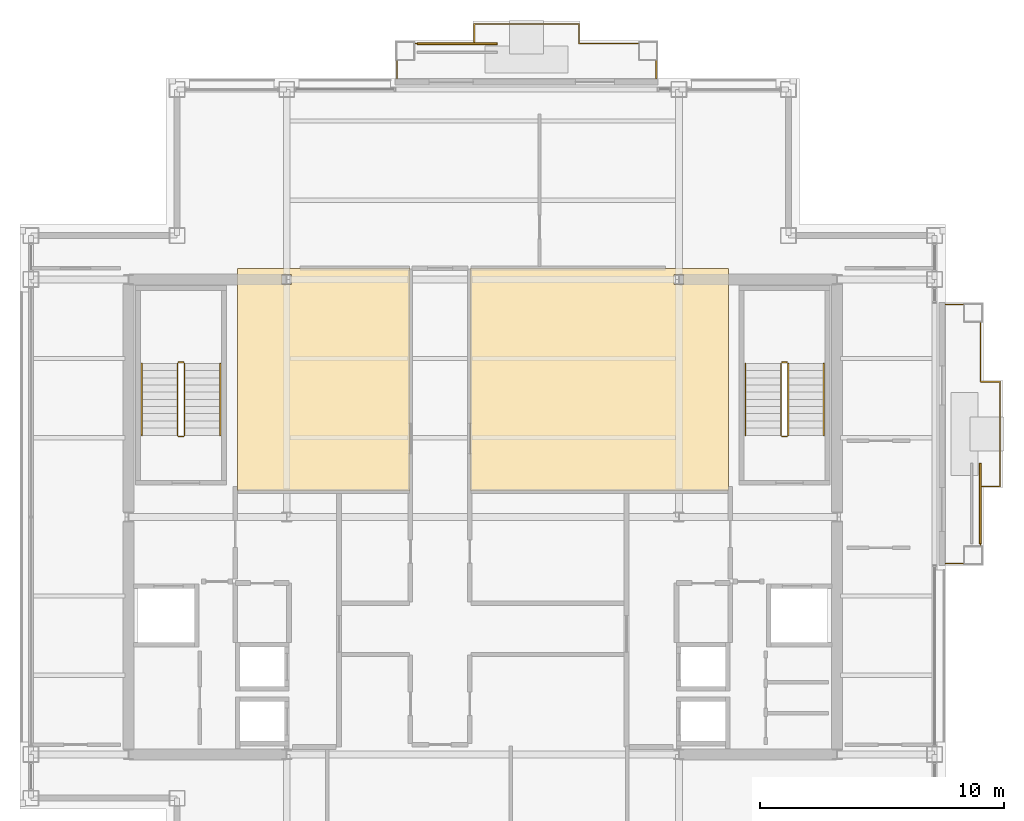
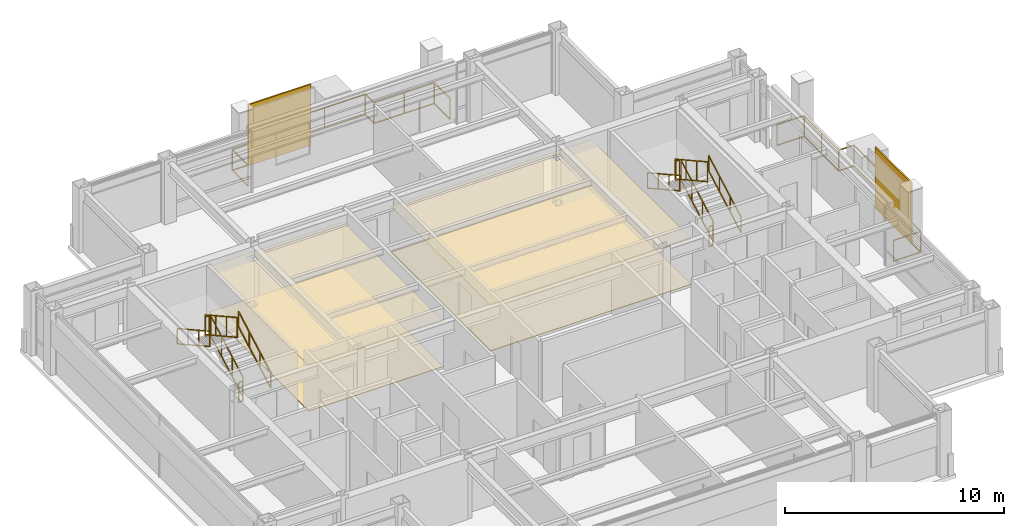
# One storey, part 23 of 24: 14 railings, 4 coverings, 2 shading devices.
"""IFC4 building model written with IfcOpenShell, lengths in metres."""

from ifc_helpers import new_model, si_unit, direction, frame, origin, origin_2d, place, context, subcontext, project, spatial, polyline, rectangle, outline, extrude, material, layer, layer_set, type_object, element, save


model = new_model("IFC4")

# Units and contexts
model_context = context("Model", 3, precision=1e-05, world=origin(), true_north=direction((0.0, 1.0)))
body_context = subcontext(model_context, "Body", "Model", "MODEL_VIEW")
ifc_project = project(units=[si_unit("LENGTHUNIT", "METRE"), si_unit("AREAUNIT", "SQUARE_METRE"), si_unit("VOLUMEUNIT", "CUBIC_METRE"), si_unit("PLANEANGLEUNIT", "RADIAN"), si_unit("MASSUNIT", "GRAM", prefix="KILO")], contexts=[model_context])

# Site, building, storey
site_placement = place(None, origin())
site = spatial("IfcSite", under=ifc_project, at=site_placement, CompositionType="ELEMENT")
building_placement = place(site_placement, origin())
building = spatial("IfcBuilding", under=site, at=building_placement, Name="Brelmoor Portico Tower", CompositionType="ELEMENT")
storey_placement = place(building_placement, frame((0.0, 0.0, 229.199951171875)))
storey = spatial("IfcBuildingStorey", under=building, at=storey_placement, Name="L60", CompositionType="ELEMENT", Elevation=229.199951171875)

# Coverings
ifc_material_1 = material(Name="Perforated Mineral-Fibre Acoustic Ceiling Tile", Category="gypsum")
ifc_layer_1 = layer(ifc_material_1, 0.02490234375)
ifc_layer_set_1 = layer_set([ifc_layer_1], Name="Perforated Mineral-Fibre Acoustic Ceiling Tile")
covering_type_1 = type_object("IfcCoveringType", Name="CV-CEIL-GYPSUM-25", PredefinedType="CEILING", material=ifc_layer_set_1)
covering_1_placement = place(storey_placement, frame((0.0, 0.0, 2.550048828125)))
element("IfcCovering", 1, at=covering_1_placement, inside=storey, type_object=covering_type_1, Name="L60 Acoustic Suspended Ceiling 01", PredefinedType="CEILING", context=body_context, shape_type="SweptSolid", body=[
    extrude(outline(polyline([(-10.080078125, 10.18994140625), (-8.5, 10.18994140625), (-8.5, 10.199951171875), (-7.60009765625, 10.199951171875), (-7.60009765625, 10.18994140625), (-2.989990234375, 10.18994140625), (-2.989990234375, 1.090087890625), (-10.080078125, 1.090087890625), (-10.080078125, 10.18994140625)]), holes=[polyline([(-7.85009765625, 9.550048828125), (-7.85009765625, 9.949951171875), (-8.25, 9.949951171875), (-8.25, 9.550048828125), (-7.85009765625, 9.550048828125)])]), origin(), (0.0, 0.0, 1.0), 0.02490234375),
])
ifc_material_2 = material(Name="Micro-Perforated Aluminium Clip-In Ceiling", Category="aluminium")
ifc_layer_2 = layer(ifc_material_2, 0.031982421875)
ifc_layer_set_2 = layer_set([ifc_layer_2], Name="Micro-Perforated Aluminium Clip-In Ceiling")
covering_type_2 = type_object("IfcCoveringType", Name="CV-CEIL-METAL-32", PredefinedType="CEILING", material=ifc_layer_set_2)
covering_2_placement = place(storey_placement, frame((0.0, 0.0, 2.550048828125)))
element("IfcCovering", 2, at=covering_2_placement, inside=storey, type_object=covering_type_2, Name="L60 Acoustic Suspended Ceiling 02", PredefinedType="CEILING", context=body_context, shape_type="SweptSolid", body=[
    extrude(outline(polyline([(-0.510009765625, 10.18994140625), (7.60009765625, 10.18994140625), (7.60009765625, 10.199951171875), (8.5, 10.199951171875), (8.5, 10.18994140625), (10.080078125, 10.18994140625), (10.080078125, 1.090087890625), (-0.510009765625, 1.090087890625), (-0.510009765625, 10.18994140625)]), holes=[polyline([(8.25, 9.550048828125), (8.25, 9.949951171875), (7.85009765625, 9.949951171875), (7.85009765625, 9.550048828125), (8.25, 9.550048828125)])]), origin(), (0.0, 0.0, 1.0), 0.031982421875),
])
ifc_material_3 = material(Name="Honed Pearl-Grey Granite Paver Finish", Category="masonry")
ifc_layer_3 = layer(ifc_material_3, 0.0380859375)
ifc_layer_set_3 = layer_set([ifc_layer_3], Name="Honed Pearl-Grey Granite Paver Finish")
covering_type_3 = type_object("IfcCoveringType", Name="CV-FLR-GRANITE-38", PredefinedType="FLOORING", material=ifc_layer_set_3)
covering_3_placement = place(storey_placement, origin())
element("IfcCovering", 3, at=covering_3_placement, inside=storey, type_object=covering_type_3, Name="L60 Architectural Floor Finish 02", PredefinedType="FLOORING", context=body_context, shape_type="SweptSolid", body=[
    extrude(outline(polyline([(-0.510009765625, 10.18994140625), (7.60009765625, 10.18994140625), (7.60009765625, 10.199951171875), (8.5, 10.199951171875), (8.5, 10.18994140625), (10.080078125, 10.18994140625), (10.080078125, 1.090087890625), (-0.510009765625, 1.090087890625), (-0.510009765625, 10.18994140625)]), holes=[polyline([(8.25, 9.550048828125), (8.25, 9.949951171875), (7.85009765625, 9.949951171875), (7.85009765625, 9.550048828125), (8.25, 9.550048828125)])]), origin(), (0.0, 0.0, 1.0), 0.0380859375),
])
ifc_material_4 = material(Name="Polished Pale-Aggregate Cementitious Terrazzo", Category="stone")
ifc_layer_4 = layer(ifc_material_4, 0.030029296875)
ifc_layer_set_4 = layer_set([ifc_layer_4], Name="Polished Pale-Aggregate Cementitious Terrazzo")
covering_type_4 = type_object("IfcCoveringType", Name="CV-FLR-TERRAZZO-30", PredefinedType="FLOORING", material=ifc_layer_set_4)
covering_4_placement = place(storey_placement, origin())
element("IfcCovering", 4, at=covering_4_placement, inside=storey, type_object=covering_type_4, Name="L60 Architectural Floor Finish 01", PredefinedType="FLOORING", context=body_context, shape_type="SweptSolid", body=[
    extrude(outline(polyline([(-10.080078125, 10.18994140625), (-8.5, 10.18994140625), (-8.5, 10.199951171875), (-7.60009765625, 10.199951171875), (-7.60009765625, 10.18994140625), (-2.989990234375, 10.18994140625), (-2.989990234375, 1.090087890625), (-10.080078125, 1.090087890625), (-10.080078125, 10.18994140625)]), holes=[polyline([(-7.85009765625, 9.550048828125), (-7.85009765625, 9.949951171875), (-8.25, 9.949951171875), (-8.25, 9.550048828125), (-7.85009765625, 9.550048828125)])]), origin(), (0.0, 0.0, 1.0), 0.030029296875),
])

# Railings
ifc_material_5 = material(Name="Perforated Pale Champagne Aluminium Fretwork Guard", Category="aluminium")
railing_type_1 = type_object("IfcRailingType", Name="RL-BALUSTRADE-1200", PredefinedType="BALUSTRADE", material=ifc_material_5)
railing_1_placement = place(storey_placement, frame((-3.52001953125, 18.0, 0.0)))
element("IfcRailing", 5, at=railing_1_placement, inside=storey, type_object=railing_type_1, Name="L60 Tree Balcony Fretwork Balustrade N", PredefinedType="BALUSTRADE", context=body_context, shape_type="SweptSolid", body=[
    extrude(rectangle(XDim=0.048095703125, YDim=0.048095703125, at=origin_2d()), frame((0.0, 0.0, 1.17578125), z_axis=(0.0, 1.0, 0.0), x_axis=(-1.0, 0.0, 0.0)), (0.0, 0.0, 1.0), 1.429931640625),
    extrude(rectangle(XDim=0.048095703125, YDim=0.048095703125, at=origin_2d()), frame((0.0, 0.0, 0.02392578125), z_axis=(0.0, 1.0, 0.0), x_axis=(-1.0, 0.0, 0.0)), (0.0, 0.0, 1.0), 1.429931640625),
    extrude(rectangle(XDim=0.048095703125, YDim=0.048095703125, at=origin_2d()), frame((0.0, 1.429931640625, 1.17578125), z_axis=(1.0, 0.0, 0.0), x_axis=(0.0, 1.0, 0.0)), (0.0, 0.0, 1.0), 3.169921875),
    extrude(rectangle(XDim=0.048095703125, YDim=0.048095703125, at=origin_2d()), frame((0.0, 1.429931640625, 0.02392578125), z_axis=(1.0, 0.0, 0.0), x_axis=(0.0, 1.0, 0.0)), (0.0, 0.0, 1.0), 3.169921875),
    extrude(rectangle(XDim=0.048095703125, YDim=0.048095703125, at=origin_2d()), frame((3.169921875, 1.429931640625, 1.17578125), z_axis=(0.0, 1.0, 0.0), x_axis=(-1.0, 0.0, 0.0)), (0.0, 0.0, 1.0), 0.800048828125),
    extrude(rectangle(XDim=0.048095703125, YDim=0.048095703125, at=origin_2d()), frame((3.169921875, 1.429931640625, 0.02392578125), z_axis=(0.0, 1.0, 0.0), x_axis=(-1.0, 0.0, 0.0)), (0.0, 0.0, 1.0), 0.800048828125),
    extrude(rectangle(XDim=0.048095703125, YDim=0.048095703125, at=origin_2d()), frame((3.169921875, 2.22998046875, 1.17578125), z_axis=(1.0, 0.0, 0.0), x_axis=(0.0, 1.0, 0.0)), (0.0, 0.0, 1.0), 4.300048828125),
    extrude(rectangle(XDim=0.048095703125, YDim=0.048095703125, at=origin_2d()), frame((3.169921875, 2.22998046875, 0.02392578125), z_axis=(1.0, 0.0, 0.0), x_axis=(0.0, 1.0, 0.0)), (0.0, 0.0, 1.0), 4.300048828125),
    extrude(rectangle(XDim=0.048095703125, YDim=0.048095703125, at=origin_2d()), frame((7.469970703125, 2.22998046875, 1.17578125), z_axis=(0.0, -1.0, 0.0), x_axis=(1.0, 0.0, 0.0)), (0.0, 0.0, 1.0), 0.800048828125),
    extrude(rectangle(XDim=0.048095703125, YDim=0.048095703125, at=origin_2d()), frame((7.469970703125, 2.22998046875, 0.02392578125), z_axis=(0.0, -1.0, 0.0), x_axis=(1.0, 0.0, 0.0)), (0.0, 0.0, 1.0), 0.800048828125),
    extrude(rectangle(XDim=0.048095703125, YDim=0.048095703125, at=origin_2d()), frame((7.469970703125, 1.429931640625, 1.17578125), z_axis=(1.0, 0.0, 0.0), x_axis=(0.0, 1.0, 0.0)), (0.0, 0.0, 1.0), 3.170166015625),
    extrude(rectangle(XDim=0.048095703125, YDim=0.048095703125, at=origin_2d()), frame((7.469970703125, 1.429931640625, 0.02392578125), z_axis=(1.0, 0.0, 0.0), x_axis=(0.0, 1.0, 0.0)), (0.0, 0.0, 1.0), 3.170166015625),
    extrude(rectangle(XDim=0.048095703125, YDim=0.048095703125, at=origin_2d()), frame((10.64013671875, 1.429931640625, 1.17578125), z_axis=(0.0, -1.0, 0.0), x_axis=(1.0, 0.0, 0.0)), (0.0, 0.0, 1.0), 1.429931640625),
    extrude(rectangle(XDim=0.048095703125, YDim=0.048095703125, at=origin_2d()), frame((10.64013671875, 1.429931640625, 0.02392578125), z_axis=(0.0, -1.0, 0.0), x_axis=(1.0, 0.0, 0.0)), (0.0, 0.0, 1.0), 1.429931640625),
    extrude(rectangle(XDim=0.0419921875, YDim=0.0419921875, at=origin_2d()), origin(), (0.0, 0.0, 1.0), 1.15185546875),
    extrude(rectangle(XDim=0.0419921875, YDim=0.0419921875, at=origin_2d()), frame((0.0, 1.429931640625, 0.0)), (0.0, 0.0, 1.0), 1.15185546875),
    extrude(rectangle(XDim=0.0419921875, YDim=0.0419921875, at=origin_2d()), frame((1.5849609375, 1.429931640625, 0.0)), (0.0, 0.0, 1.0), 1.15185546875),
    extrude(rectangle(XDim=0.0419921875, YDim=0.0419921875, at=origin_2d()), frame((3.169921875, 1.429931640625, 0.0)), (0.0, 0.0, 1.0), 1.15185546875),
    extrude(rectangle(XDim=0.0419921875, YDim=0.0419921875, at=origin_2d()), frame((3.169921875, 2.22998046875, 0.0)), (0.0, 0.0, 1.0), 1.15185546875),
    extrude(rectangle(XDim=0.0419921875, YDim=0.0419921875, at=origin_2d()), frame((5.31982421875, 2.22998046875, 0.0)), (0.0, 0.0, 1.0), 1.15185546875),
    extrude(rectangle(XDim=0.0419921875, YDim=0.0419921875, at=origin_2d()), frame((7.469970703125, 2.22998046875, 0.0)), (0.0, 0.0, 1.0), 1.15185546875),
    extrude(rectangle(XDim=0.0419921875, YDim=0.0419921875, at=origin_2d()), frame((7.469970703125, 1.429931640625, 0.0)), (0.0, 0.0, 1.0), 1.15185546875),
    extrude(rectangle(XDim=0.0419921875, YDim=0.0419921875, at=origin_2d()), frame((9.05517578125, 1.429931640625, 0.0)), (0.0, 0.0, 1.0), 1.15185546875),
    extrude(rectangle(XDim=0.0419921875, YDim=0.0419921875, at=origin_2d()), frame((10.64013671875, 1.429931640625, 0.0)), (0.0, 0.0, 1.0), 1.15185546875),
    extrude(rectangle(XDim=0.0419921875, YDim=0.0419921875, at=origin_2d()), frame((10.64013671875, 0.0, 0.0)), (0.0, 0.0, 1.0), 1.15185546875),
])
railing_2_placement = place(storey_placement, frame((19.0, -1.919921875, 0.0)))
element("IfcRailing", 6, at=railing_2_placement, inside=storey, type_object=railing_type_1, Name="L60 Tree Balcony Fretwork Balustrade E", PredefinedType="BALUSTRADE", context=body_context, shape_type="SweptSolid", body=[
    extrude(rectangle(XDim=0.048095703125, YDim=0.048095703125, at=origin_2d()), frame((0.0, 0.0, 1.17578125), z_axis=(1.0, 0.0, 0.0), x_axis=(0.0, 1.0, 0.0)), (0.0, 0.0, 1.0), 1.429931640625),
    extrude(rectangle(XDim=0.048095703125, YDim=0.048095703125, at=origin_2d()), frame((0.0, 0.0, 0.02392578125), z_axis=(1.0, 0.0, 0.0), x_axis=(0.0, 1.0, 0.0)), (0.0, 0.0, 1.0), 1.429931640625),
    extrude(rectangle(XDim=0.048095703125, YDim=0.048095703125, at=origin_2d()), frame((1.429931640625, 0.0, 1.17578125), z_axis=(0.0, 1.0, 0.0), x_axis=(-1.0, 0.0, 0.0)), (0.0, 0.0, 1.0), 3.169921875),
    extrude(rectangle(XDim=0.048095703125, YDim=0.048095703125, at=origin_2d()), frame((1.429931640625, 0.0, 0.02392578125), z_axis=(0.0, 1.0, 0.0), x_axis=(-1.0, 0.0, 0.0)), (0.0, 0.0, 1.0), 3.169921875),
    extrude(rectangle(XDim=0.048095703125, YDim=0.048095703125, at=origin_2d()), frame((1.429931640625, 3.169921875, 1.17578125), z_axis=(1.0, 0.0, 0.0), x_axis=(0.0, 1.0, 0.0)), (0.0, 0.0, 1.0), 0.800048828125),
    extrude(rectangle(XDim=0.048095703125, YDim=0.048095703125, at=origin_2d()), frame((1.429931640625, 3.169921875, 0.02392578125), z_axis=(1.0, 0.0, 0.0), x_axis=(0.0, 1.0, 0.0)), (0.0, 0.0, 1.0), 0.800048828125),
    extrude(rectangle(XDim=0.048095703125, YDim=0.048095703125, at=origin_2d()), frame((2.22998046875, 3.169921875, 1.17578125), z_axis=(0.0, 1.0, 0.0), x_axis=(-1.0, 0.0, 0.0)), (0.0, 0.0, 1.0), 4.300048828125),
    extrude(rectangle(XDim=0.048095703125, YDim=0.048095703125, at=origin_2d()), frame((2.22998046875, 3.169921875, 0.02392578125), z_axis=(0.0, 1.0, 0.0), x_axis=(-1.0, 0.0, 0.0)), (0.0, 0.0, 1.0), 4.300048828125),
    extrude(rectangle(XDim=0.048095703125, YDim=0.048095703125, at=origin_2d()), frame((2.22998046875, 7.469970703125, 1.17578125), z_axis=(-1.0, 0.0, 0.0), x_axis=(0.0, -1.0, 0.0)), (0.0, 0.0, 1.0), 0.800048828125),
    extrude(rectangle(XDim=0.048095703125, YDim=0.048095703125, at=origin_2d()), frame((2.22998046875, 7.469970703125, 0.02392578125), z_axis=(-1.0, 0.0, 0.0), x_axis=(0.0, -1.0, 0.0)), (0.0, 0.0, 1.0), 0.800048828125),
    extrude(rectangle(XDim=0.048095703125, YDim=0.048095703125, at=origin_2d()), frame((1.429931640625, 7.469970703125, 1.17578125), z_axis=(0.0, 1.0, 0.0), x_axis=(-1.0, 0.0, 0.0)), (0.0, 0.0, 1.0), 3.169921875),
    extrude(rectangle(XDim=0.048095703125, YDim=0.048095703125, at=origin_2d()), frame((1.429931640625, 7.469970703125, 0.02392578125), z_axis=(0.0, 1.0, 0.0), x_axis=(-1.0, 0.0, 0.0)), (0.0, 0.0, 1.0), 3.169921875),
    extrude(rectangle(XDim=0.048095703125, YDim=0.048095703125, at=origin_2d()), frame((1.429931640625, 10.639892578125, 1.17578125), z_axis=(-1.0, 0.0, 0.0), x_axis=(0.0, -1.0, 0.0)), (0.0, 0.0, 1.0), 1.429931640625),
    extrude(rectangle(XDim=0.048095703125, YDim=0.048095703125, at=origin_2d()), frame((1.429931640625, 10.639892578125, 0.02392578125), z_axis=(-1.0, 0.0, 0.0), x_axis=(0.0, -1.0, 0.0)), (0.0, 0.0, 1.0), 1.429931640625),
    extrude(rectangle(XDim=0.0419921875, YDim=0.0419921875, at=origin_2d()), origin(), (0.0, 0.0, 1.0), 1.15185546875),
    extrude(rectangle(XDim=0.0419921875, YDim=0.0419921875, at=origin_2d()), frame((1.429931640625, 0.0, 0.0)), (0.0, 0.0, 1.0), 1.15185546875),
    extrude(rectangle(XDim=0.0419921875, YDim=0.0419921875, at=origin_2d()), frame((1.429931640625, 1.5849609375, 0.0)), (0.0, 0.0, 1.0), 1.15185546875),
    extrude(rectangle(XDim=0.0419921875, YDim=0.0419921875, at=origin_2d()), frame((1.429931640625, 3.169921875, 0.0)), (0.0, 0.0, 1.0), 1.15185546875),
    extrude(rectangle(XDim=0.0419921875, YDim=0.0419921875, at=origin_2d()), frame((2.22998046875, 3.169921875, 0.0)), (0.0, 0.0, 1.0), 1.15185546875),
    extrude(rectangle(XDim=0.0419921875, YDim=0.0419921875, at=origin_2d()), frame((2.22998046875, 5.31982421875, 0.0)), (0.0, 0.0, 1.0), 1.15185546875),
    extrude(rectangle(XDim=0.0419921875, YDim=0.0419921875, at=origin_2d()), frame((2.22998046875, 7.469970703125, 0.0)), (0.0, 0.0, 1.0), 1.15185546875),
    extrude(rectangle(XDim=0.0419921875, YDim=0.0419921875, at=origin_2d()), frame((1.429931640625, 7.469970703125, 0.0)), (0.0, 0.0, 1.0), 1.15185546875),
    extrude(rectangle(XDim=0.0419921875, YDim=0.0419921875, at=origin_2d()), frame((1.429931640625, 9.054931640625, 0.0)), (0.0, 0.0, 1.0), 1.15185546875),
    extrude(rectangle(XDim=0.0419921875, YDim=0.0419921875, at=origin_2d()), frame((1.429931640625, 10.639892578125, 0.0)), (0.0, 0.0, 1.0), 1.15185546875),
    extrude(rectangle(XDim=0.0419921875, YDim=0.0419921875, at=origin_2d()), frame((0.0, 10.639892578125, 0.0)), (0.0, 0.0, 1.0), 1.15185546875),
])
ifc_material_6 = material(Name="Painted Tubular Steel Q235B", Category="steel")
railing_type_2 = type_object("IfcRailingType", Name="RL-STAIR-GUARD", PredefinedType="GUARDRAIL", material=ifc_material_6)
railing_3_placement = place(storey_placement, frame((-12.239990234375, 3.35009765625, 0.16357421875)))
element("IfcRailing", 7, at=railing_3_placement, inside=storey, type_object=railing_type_2, Name="L60 ST-W stair guard 1", PredefinedType="GUARDRAIL", context=body_context, shape_type="SweptSolid", body=[
    extrude(rectangle(XDim=0.048095703125, YDim=0.048095703125, at=origin_2d()), frame((0.0, 0.0, 1.1259765625), z_axis=(0.0, 0.874457516365, 0.485102104791), x_axis=(-1.0, 0.0, 0.0)), (0.0, 0.0, 1.0), 3.37353515625),
    extrude(rectangle(XDim=0.048095703125, YDim=0.048095703125, at=origin_2d()), frame((0.0, 0.0, 0.02392578125), z_axis=(0.0, 0.874457516365, 0.485102104791), x_axis=(-1.0, 0.0, 0.0)), (0.0, 0.0, 1.0), 3.37353515625),
    extrude(rectangle(XDim=0.0419921875, YDim=0.0419921875, at=origin_2d()), origin(), (0.0, 0.0, 1.0), 1.101806640625),
    extrude(rectangle(XDim=0.0419921875, YDim=0.0419921875, at=origin_2d()), frame((0.0, 0.9833984375, 0.54541015625)), (0.0, 0.0, 1.0), 1.101806640625),
    extrude(rectangle(XDim=0.0419921875, YDim=0.0419921875, at=origin_2d()), frame((0.0, 1.966552734375, 1.091064453125)), (0.0, 0.0, 1.0), 1.101806640625),
    extrude(rectangle(XDim=0.0419921875, YDim=0.0419921875, at=origin_2d()), frame((0.0, 2.949951171875, 1.636474609375)), (0.0, 0.0, 1.0), 1.101806640625),
])
railing_4_placement = place(storey_placement, frame((-12.2900390625, 6.35009765625, 1.800048828125)))
element("IfcRailing", 8, at=railing_4_placement, inside=storey, type_object=railing_type_2, Name="L60 ST-W stair guard 2", PredefinedType="GUARDRAIL", context=body_context, shape_type="SweptSolid", body=[
    extrude(rectangle(XDim=0.048095703125, YDim=0.048095703125, at=origin_2d()), frame((0.0, 0.0, 1.1259765625), z_axis=(-1.0, 0.0, 0.0), x_axis=(0.0, -1.0, 0.0)), (0.0, 0.0, 1.0), 0.199951171875),
    extrude(rectangle(XDim=0.048095703125, YDim=0.048095703125, at=origin_2d()), frame((0.0, 0.0, 0.02392578125), z_axis=(-1.0, 0.0, 0.0), x_axis=(0.0, -1.0, 0.0)), (0.0, 0.0, 1.0), 0.199951171875),
    extrude(rectangle(XDim=0.0419921875, YDim=0.0419921875, at=origin_2d()), origin(), (0.0, 0.0, 1.0), 1.101806640625),
    extrude(rectangle(XDim=0.0419921875, YDim=0.0419921875, at=origin_2d()), frame((-0.199951171875, 0.0, 0.0)), (0.0, 0.0, 1.0), 1.101806640625),
])
railing_5_placement = place(storey_placement, frame((-12.5400390625, 6.300048828125, 1.963623046875)))
element("IfcRailing", 9, at=railing_5_placement, inside=storey, type_object=railing_type_2, Name="L60 ST-W stair guard 3", PredefinedType="GUARDRAIL", context=body_context, shape_type="SweptSolid", body=[
    extrude(rectangle(XDim=0.048095703125, YDim=0.048095703125, at=origin_2d()), frame((0.0, 0.0, 1.1259765625), z_axis=(0.0, -0.874457516365, 0.485102104791), x_axis=(1.0, 0.0, 0.0)), (0.0, 0.0, 1.0), 3.37353515625),
    extrude(rectangle(XDim=0.048095703125, YDim=0.048095703125, at=origin_2d()), frame((0.0, 0.0, 0.02392578125), z_axis=(0.0, -0.874457516365, 0.485102104791), x_axis=(1.0, 0.0, 0.0)), (0.0, 0.0, 1.0), 3.37353515625),
    extrude(rectangle(XDim=0.0419921875, YDim=0.0419921875, at=origin_2d()), origin(), (0.0, 0.0, 1.0), 1.101806640625),
    extrude(rectangle(XDim=0.0419921875, YDim=0.0419921875, at=origin_2d()), frame((0.0, -0.9833984375, 0.54541015625)), (0.0, 0.0, 1.0), 1.101806640625),
    extrude(rectangle(XDim=0.0419921875, YDim=0.0419921875, at=origin_2d()), frame((0.0, -1.966552734375, 1.091064453125)), (0.0, 0.0, 1.0), 1.101806640625),
    extrude(rectangle(XDim=0.0419921875, YDim=0.0419921875, at=origin_2d()), frame((0.0, -2.949951171875, 1.636474609375)), (0.0, 0.0, 1.0), 1.101806640625),
])
railing_6_placement = place(storey_placement, frame((-12.2900390625, 3.300048828125, 0.0)))
element("IfcRailing", 10, at=railing_6_placement, inside=storey, type_object=railing_type_2, Name="L60 ST-W stair guard 4", PredefinedType="GUARDRAIL", context=body_context, shape_type="SweptSolid", body=[
    extrude(rectangle(XDim=0.048095703125, YDim=0.048095703125, at=origin_2d()), frame((0.0, 0.0, 1.1259765625), z_axis=(-1.0, 0.0, 0.0), x_axis=(0.0, -1.0, 0.0)), (0.0, 0.0, 1.0), 0.199951171875),
    extrude(rectangle(XDim=0.048095703125, YDim=0.048095703125, at=origin_2d()), frame((0.0, 0.0, 0.02392578125), z_axis=(-1.0, 0.0, 0.0), x_axis=(0.0, -1.0, 0.0)), (0.0, 0.0, 1.0), 0.199951171875),
    extrude(rectangle(XDim=0.0419921875, YDim=0.0419921875, at=origin_2d()), origin(), (0.0, 0.0, 1.0), 1.101806640625),
    extrude(rectangle(XDim=0.0419921875, YDim=0.0419921875, at=origin_2d()), frame((-0.199951171875, 0.0, 0.0)), (0.0, 0.0, 1.0), 1.101806640625),
])
railing_7_placement = place(storey_placement, frame((12.5400390625, 3.35009765625, 0.16357421875)))
element("IfcRailing", 11, at=railing_7_placement, inside=storey, type_object=railing_type_2, Name="L60 ST-E stair guard 1", PredefinedType="GUARDRAIL", context=body_context, shape_type="SweptSolid", body=[
    extrude(rectangle(XDim=0.048095703125, YDim=0.048095703125, at=origin_2d()), frame((0.0, 0.0, 1.1259765625), z_axis=(0.0, 0.874457516365, 0.485102104791), x_axis=(-1.0, 0.0, 0.0)), (0.0, 0.0, 1.0), 3.37353515625),
    extrude(rectangle(XDim=0.048095703125, YDim=0.048095703125, at=origin_2d()), frame((0.0, 0.0, 0.02392578125), z_axis=(0.0, 0.874457516365, 0.485102104791), x_axis=(-1.0, 0.0, 0.0)), (0.0, 0.0, 1.0), 3.37353515625),
    extrude(rectangle(XDim=0.0419921875, YDim=0.0419921875, at=origin_2d()), origin(), (0.0, 0.0, 1.0), 1.101806640625),
    extrude(rectangle(XDim=0.0419921875, YDim=0.0419921875, at=origin_2d()), frame((0.0, 0.9833984375, 0.54541015625)), (0.0, 0.0, 1.0), 1.101806640625),
    extrude(rectangle(XDim=0.0419921875, YDim=0.0419921875, at=origin_2d()), frame((0.0, 1.966552734375, 1.091064453125)), (0.0, 0.0, 1.0), 1.101806640625),
    extrude(rectangle(XDim=0.0419921875, YDim=0.0419921875, at=origin_2d()), frame((0.0, 2.949951171875, 1.636474609375)), (0.0, 0.0, 1.0), 1.101806640625),
])
railing_8_placement = place(storey_placement, frame((12.489990234375, 6.35009765625, 1.800048828125)))
element("IfcRailing", 12, at=railing_8_placement, inside=storey, type_object=railing_type_2, Name="L60 ST-E stair guard 2", PredefinedType="GUARDRAIL", context=body_context, shape_type="SweptSolid", body=[
    extrude(rectangle(XDim=0.048095703125, YDim=0.048095703125, at=origin_2d()), frame((0.0, 0.0, 1.1259765625), z_axis=(-1.0, 0.0, 0.0), x_axis=(0.0, -1.0, 0.0)), (0.0, 0.0, 1.0), 0.199951171875),
    extrude(rectangle(XDim=0.048095703125, YDim=0.048095703125, at=origin_2d()), frame((0.0, 0.0, 0.02392578125), z_axis=(-1.0, 0.0, 0.0), x_axis=(0.0, -1.0, 0.0)), (0.0, 0.0, 1.0), 0.199951171875),
    extrude(rectangle(XDim=0.0419921875, YDim=0.0419921875, at=origin_2d()), origin(), (0.0, 0.0, 1.0), 1.101806640625),
    extrude(rectangle(XDim=0.0419921875, YDim=0.0419921875, at=origin_2d()), frame((-0.199951171875, 0.0, 0.0)), (0.0, 0.0, 1.0), 1.101806640625),
])
railing_9_placement = place(storey_placement, frame((12.239990234375, 6.300048828125, 1.963623046875)))
element("IfcRailing", 13, at=railing_9_placement, inside=storey, type_object=railing_type_2, Name="L60 ST-E stair guard 3", PredefinedType="GUARDRAIL", context=body_context, shape_type="SweptSolid", body=[
    extrude(rectangle(XDim=0.048095703125, YDim=0.048095703125, at=origin_2d()), frame((0.0, 0.0, 1.1259765625), z_axis=(0.0, -0.874457516365, 0.485102104791), x_axis=(1.0, 0.0, 0.0)), (0.0, 0.0, 1.0), 3.37353515625),
    extrude(rectangle(XDim=0.048095703125, YDim=0.048095703125, at=origin_2d()), frame((0.0, 0.0, 0.02392578125), z_axis=(0.0, -0.874457516365, 0.485102104791), x_axis=(1.0, 0.0, 0.0)), (0.0, 0.0, 1.0), 3.37353515625),
    extrude(rectangle(XDim=0.0419921875, YDim=0.0419921875, at=origin_2d()), origin(), (0.0, 0.0, 1.0), 1.101806640625),
    extrude(rectangle(XDim=0.0419921875, YDim=0.0419921875, at=origin_2d()), frame((0.0, -0.9833984375, 0.54541015625)), (0.0, 0.0, 1.0), 1.101806640625),
    extrude(rectangle(XDim=0.0419921875, YDim=0.0419921875, at=origin_2d()), frame((0.0, -1.966552734375, 1.091064453125)), (0.0, 0.0, 1.0), 1.101806640625),
    extrude(rectangle(XDim=0.0419921875, YDim=0.0419921875, at=origin_2d()), frame((0.0, -2.949951171875, 1.636474609375)), (0.0, 0.0, 1.0), 1.101806640625),
])
railing_10_placement = place(storey_placement, frame((12.489990234375, 3.300048828125, 0.0)))
element("IfcRailing", 14, at=railing_10_placement, inside=storey, type_object=railing_type_2, Name="L60 ST-E stair guard 4", PredefinedType="GUARDRAIL", context=body_context, shape_type="SweptSolid", body=[
    extrude(rectangle(XDim=0.048095703125, YDim=0.048095703125, at=origin_2d()), frame((0.0, 0.0, 1.1259765625), z_axis=(-1.0, 0.0, 0.0), x_axis=(0.0, -1.0, 0.0)), (0.0, 0.0, 1.0), 0.199951171875),
    extrude(rectangle(XDim=0.048095703125, YDim=0.048095703125, at=origin_2d()), frame((0.0, 0.0, 0.02392578125), z_axis=(-1.0, 0.0, 0.0), x_axis=(0.0, -1.0, 0.0)), (0.0, 0.0, 1.0), 0.199951171875),
    extrude(rectangle(XDim=0.0419921875, YDim=0.0419921875, at=origin_2d()), origin(), (0.0, 0.0, 1.0), 1.101806640625),
    extrude(rectangle(XDim=0.0419921875, YDim=0.0419921875, at=origin_2d()), frame((-0.199951171875, 0.0, 0.0)), (0.0, 0.0, 1.0), 1.101806640625),
])
ifc_material_7 = material(Name="Brushed Stainless Steel 304", Category="steel")
railing_type_3 = type_object("IfcRailingType", Name="RL-STAIR-HANDRAIL", PredefinedType="HANDRAIL", material=ifc_material_7)
railing_11_placement = place(storey_placement, frame((-10.780029296875, 3.35009765625, 0.16357421875)))
element("IfcRailing", 15, at=railing_11_placement, inside=storey, type_object=railing_type_3, Name="L60 ST-W stair handrail 1", PredefinedType="HANDRAIL", context=body_context, shape_type="SweptSolid", body=[
    extrude(rectangle(XDim=0.048095703125, YDim=0.048095703125, at=origin_2d()), frame((0.0, 0.0, 0.8759765625), z_axis=(0.0, 0.874457516365, 0.485102104791), x_axis=(-1.0, 0.0, 0.0)), (0.0, 0.0, 1.0), 3.37353515625),
    extrude(rectangle(XDim=0.048095703125, YDim=0.048095703125, at=origin_2d()), frame((0.0, 0.0, 0.02392578125), z_axis=(0.0, 0.874457516365, 0.485102104791), x_axis=(-1.0, 0.0, 0.0)), (0.0, 0.0, 1.0), 3.37353515625),
    extrude(rectangle(XDim=0.0419921875, YDim=0.0419921875, at=origin_2d()), origin(), (0.0, 0.0, 1.0), 0.851806640625),
    extrude(rectangle(XDim=0.0419921875, YDim=0.0419921875, at=origin_2d()), frame((0.0, 0.9833984375, 0.54541015625)), (0.0, 0.0, 1.0), 0.851806640625),
    extrude(rectangle(XDim=0.0419921875, YDim=0.0419921875, at=origin_2d()), frame((0.0, 1.966552734375, 1.091064453125)), (0.0, 0.0, 1.0), 0.851806640625),
    extrude(rectangle(XDim=0.0419921875, YDim=0.0419921875, at=origin_2d()), frame((0.0, 2.949951171875, 1.636474609375)), (0.0, 0.0, 1.0), 0.851806640625),
])
railing_12_placement = place(storey_placement, frame((-14.0, 6.300048828125, 1.963623046875)))
element("IfcRailing", 16, at=railing_12_placement, inside=storey, type_object=railing_type_3, Name="L60 ST-W stair handrail 2", PredefinedType="HANDRAIL", context=body_context, shape_type="SweptSolid", body=[
    extrude(rectangle(XDim=0.048095703125, YDim=0.048095703125, at=origin_2d()), frame((0.0, 0.0, 0.8759765625), z_axis=(0.0, -0.874457516365, 0.485102104791), x_axis=(1.0, 0.0, 0.0)), (0.0, 0.0, 1.0), 3.37353515625),
    extrude(rectangle(XDim=0.048095703125, YDim=0.048095703125, at=origin_2d()), frame((0.0, 0.0, 0.02392578125), z_axis=(0.0, -0.874457516365, 0.485102104791), x_axis=(1.0, 0.0, 0.0)), (0.0, 0.0, 1.0), 3.37353515625),
    extrude(rectangle(XDim=0.0419921875, YDim=0.0419921875, at=origin_2d()), origin(), (0.0, 0.0, 1.0), 0.851806640625),
    extrude(rectangle(XDim=0.0419921875, YDim=0.0419921875, at=origin_2d()), frame((0.0, -0.9833984375, 0.54541015625)), (0.0, 0.0, 1.0), 0.851806640625),
    extrude(rectangle(XDim=0.0419921875, YDim=0.0419921875, at=origin_2d()), frame((0.0, -1.966552734375, 1.091064453125)), (0.0, 0.0, 1.0), 0.851806640625),
    extrude(rectangle(XDim=0.0419921875, YDim=0.0419921875, at=origin_2d()), frame((0.0, -2.949951171875, 1.636474609375)), (0.0, 0.0, 1.0), 0.851806640625),
])
railing_13_placement = place(storey_placement, frame((14.0, 3.35009765625, 0.16357421875)))
element("IfcRailing", 17, at=railing_13_placement, inside=storey, type_object=railing_type_3, Name="L60 ST-E stair handrail 1", PredefinedType="HANDRAIL", context=body_context, shape_type="SweptSolid", body=[
    extrude(rectangle(XDim=0.048095703125, YDim=0.048095703125, at=origin_2d()), frame((0.0, 0.0, 0.8759765625), z_axis=(0.0, 0.874457516365, 0.485102104791), x_axis=(-1.0, 0.0, 0.0)), (0.0, 0.0, 1.0), 3.37353515625),
    extrude(rectangle(XDim=0.048095703125, YDim=0.048095703125, at=origin_2d()), frame((0.0, 0.0, 0.02392578125), z_axis=(0.0, 0.874457516365, 0.485102104791), x_axis=(-1.0, 0.0, 0.0)), (0.0, 0.0, 1.0), 3.37353515625),
    extrude(rectangle(XDim=0.0419921875, YDim=0.0419921875, at=origin_2d()), origin(), (0.0, 0.0, 1.0), 0.851806640625),
    extrude(rectangle(XDim=0.0419921875, YDim=0.0419921875, at=origin_2d()), frame((0.0, 0.9833984375, 0.54541015625)), (0.0, 0.0, 1.0), 0.851806640625),
    extrude(rectangle(XDim=0.0419921875, YDim=0.0419921875, at=origin_2d()), frame((0.0, 1.966552734375, 1.091064453125)), (0.0, 0.0, 1.0), 0.851806640625),
    extrude(rectangle(XDim=0.0419921875, YDim=0.0419921875, at=origin_2d()), frame((0.0, 2.949951171875, 1.636474609375)), (0.0, 0.0, 1.0), 0.851806640625),
])
railing_14_placement = place(storey_placement, frame((10.780029296875, 6.300048828125, 1.963623046875)))
element("IfcRailing", 18, at=railing_14_placement, inside=storey, type_object=railing_type_3, Name="L60 ST-E stair handrail 2", PredefinedType="HANDRAIL", context=body_context, shape_type="SweptSolid", body=[
    extrude(rectangle(XDim=0.048095703125, YDim=0.048095703125, at=origin_2d()), frame((0.0, 0.0, 0.8759765625), z_axis=(0.0, -0.874457516365, 0.485102104791), x_axis=(1.0, 0.0, 0.0)), (0.0, 0.0, 1.0), 3.37353515625),
    extrude(rectangle(XDim=0.048095703125, YDim=0.048095703125, at=origin_2d()), frame((0.0, 0.0, 0.02392578125), z_axis=(0.0, -0.874457516365, 0.485102104791), x_axis=(1.0, 0.0, 0.0)), (0.0, 0.0, 1.0), 3.37353515625),
    extrude(rectangle(XDim=0.0419921875, YDim=0.0419921875, at=origin_2d()), origin(), (0.0, 0.0, 1.0), 0.851806640625),
    extrude(rectangle(XDim=0.0419921875, YDim=0.0419921875, at=origin_2d()), frame((0.0, -0.9833984375, 0.54541015625)), (0.0, 0.0, 1.0), 0.851806640625),
    extrude(rectangle(XDim=0.0419921875, YDim=0.0419921875, at=origin_2d()), frame((0.0, -1.966552734375, 1.091064453125)), (0.0, 0.0, 1.0), 0.851806640625),
    extrude(rectangle(XDim=0.0419921875, YDim=0.0419921875, at=origin_2d()), frame((0.0, -2.949951171875, 1.636474609375)), (0.0, 0.0, 1.0), 0.851806640625),
])

# Shading devices
ifc_material_8 = material(Name="Powder-Coated Aluminium Shuttered Jalousie", Category="aluminium")
ifc_layer_5 = layer(ifc_material_8, 0.080078125)
ifc_layer_set_5 = layer_set([ifc_layer_5], Name="Powder-Coated Aluminium Shuttered Jalousie")
shading_device_type = type_object("IfcShadingDeviceType", Name="SD-JALOUSIE-LOGGIA", PredefinedType="JALOUSIE", material=ifc_layer_set_5)
for number, where, z_axis, x_axis, name in (
    (19, (-1.050048828125, 19.429931640625, 0.0), (0.0, 0.0, 1.0), (1.0, 0.0, 0.0), "L60 Loggia Shuttered Jalousie N"),
    (20, (20.429931640625, 0.550048828125, 0.0), (0.0, 0.0, 1.0), (0.0, 1.0, 0.0), "L60 Loggia Shuttered Jalousie E"),
):
    element("IfcShadingDevice", number, at=place(storey_placement, frame(where, z_axis=z_axis, x_axis=x_axis)), inside=storey, type_object=shading_device_type, Name=name, PredefinedType="JALOUSIE", context=body_context, shape_type="SweptSolid", body=[
        extrude(rectangle(XDim=3.300048828125, YDim=0.080078125, at=origin_2d()), origin(), (0.0, 0.0, 1.0), 3.39990234375),
    ])

save(model, "model.ifc")
